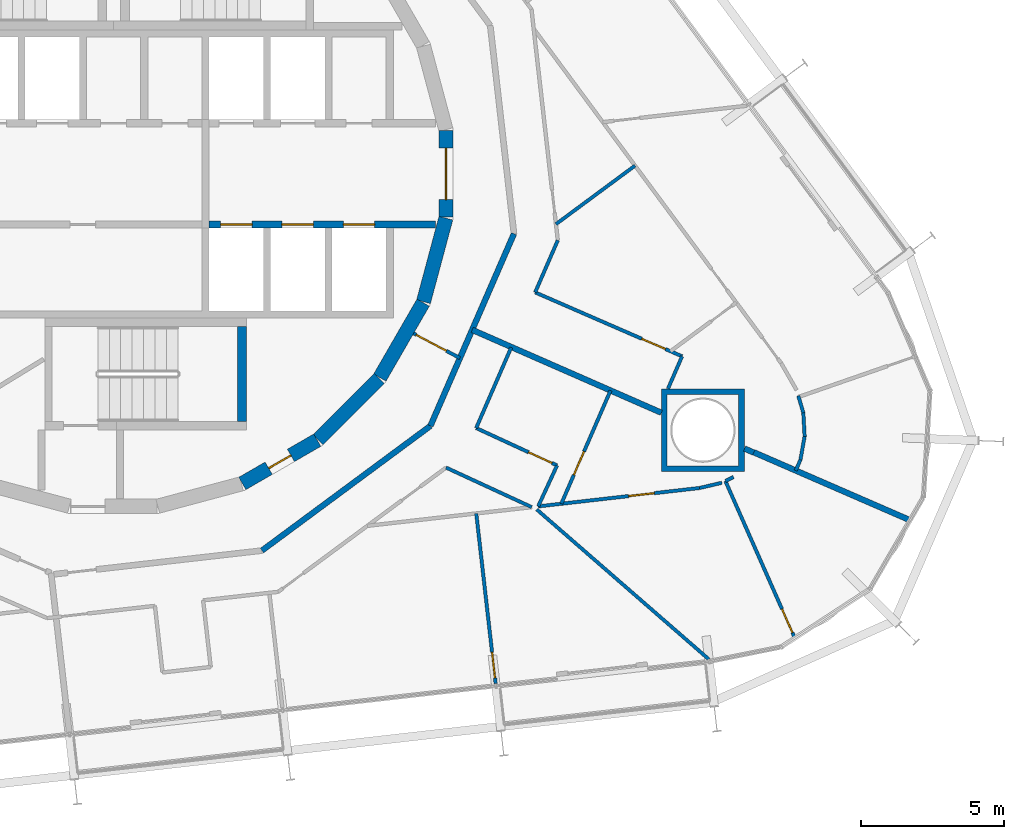
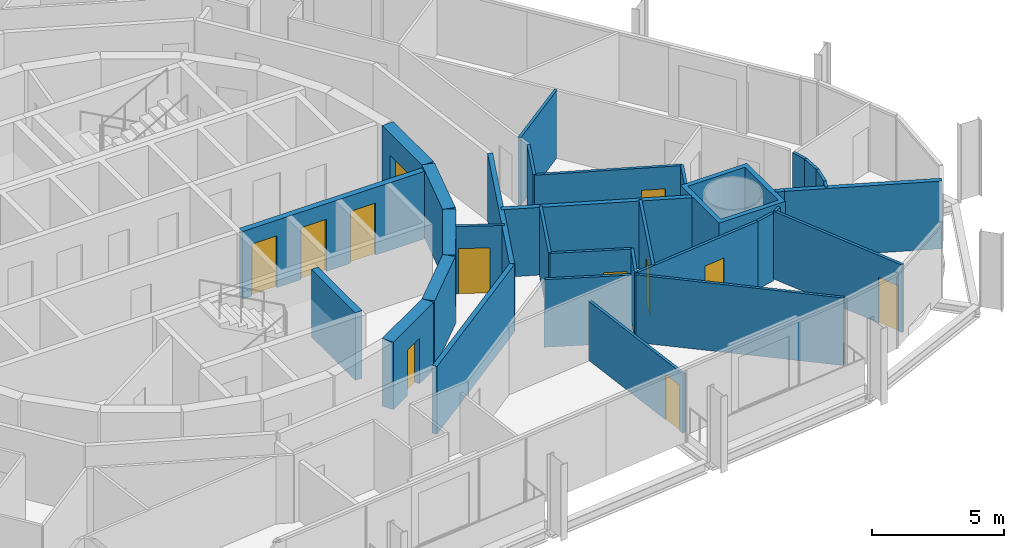
# One storey, part 19 of 24: 33 walls, 12 doors, 12 openings.
"""IFC4 building model written with IfcOpenShell, lengths in metres."""

from ifc_helpers import new_model, si_unit, direction, frame, frame_2d, origin, place, context, subcontext, project, spatial, polyline, rectangle, outline, extrude, material, layer, layer_set, type_object, element, fill, save


model = new_model("IFC4")

# Units and contexts
model_context = context("Model", 3, precision=1e-05, world=origin(), true_north=direction((0.0, 1.0)))
body_context = subcontext(model_context, "Body", "Model", "MODEL_VIEW")
ifc_project = project(units=[si_unit("LENGTHUNIT", "METRE"), si_unit("AREAUNIT", "SQUARE_METRE"), si_unit("VOLUMEUNIT", "CUBIC_METRE"), si_unit("PLANEANGLEUNIT", "RADIAN"), si_unit("MASSUNIT", "GRAM", prefix="KILO")], contexts=[model_context])

# Site, building, storey
site_placement = place(None, origin())
site = spatial("IfcSite", under=ifc_project, at=site_placement, CompositionType="ELEMENT")
building_placement = place(site_placement, origin())
building = spatial("IfcBuilding", under=site, at=building_placement, Name="Spindle Arch Residences", CompositionType="ELEMENT")
storey_placement = place(building_placement, frame((0.0, 0.0, 101.199951171875)))
storey = spatial("IfcBuildingStorey", under=building, at=storey_placement, Name="L24", CompositionType="ELEMENT", Elevation=101.199951171875)

# Wall, opening, door
ifc_material_1 = material(Name="Concrete C50/60", Category="concrete")
ifc_layer_1 = layer(ifc_material_1, 0.5)
ifc_layer_set_1 = layer_set([ifc_layer_1], Name="Core outline wall 500")
wall_type_1 = type_object("IfcWallType", Name="Core outline wall 500", PredefinedType="SHEAR", material=ifc_layer_set_1)
wall_1_placement = place(storey_placement, frame((4.510498046875, -10.84521484375, 0.0), z_axis=(0.0, 0.0, 1.0), x_axis=(0.865975092491, 0.500087131594, 0.0)))
wall_1 = element("IfcWall", 1, at=wall_1_placement, inside=storey, type_object=wall_type_1, Name="Core outline wall 2", PredefinedType="SHEAR", context=body_context, shape_type="SweptSolid", body=[
    extrude(rectangle(XDim=3.03271484375, YDim=0.5, at=frame_2d((1.516357421875, 0.0))), origin(), (0.0, 0.0, 1.0), 3.1201171875),
])
opening_1_placement = place(wall_1_placement, frame((1.06640625, 0.0, 0.0)))
opening_1 = element("IfcOpeningElement", 2, at=opening_1_placement, cuts=wall_1, Name="Opening R2C1-WD08", PredefinedType="OPENING", context=body_context, shape_type="SweptSolid", body=[
    extrude(rectangle(XDim=0.89990234375, YDim=2.10009765625, at=frame_2d((0.449951171875, 1.050048828125))), frame((0.0, 0.260009765625, 0.0), z_axis=(0.0, -1.0, 0.0), x_axis=(1.0, 0.0, 0.0)), (0.0, 0.0, 1.0), 0.52001953125),
])
ifc_material_2 = material(Name="Steel, fire-resisting door", Category="steel")
door_type_1 = type_object("IfcDoorType", Name="Service room door 900x2100", OperationType="SINGLE_SWING_LEFT", PredefinedType="DOOR", material=ifc_material_2)
door_1_placement = place(opening_1_placement, origin())
door_1 = element("IfcDoor", 3, at=door_1_placement, inside=storey, type_object=door_type_1, Name="Service room door R2C1-WD08", OperationType="SINGLE_SWING_LEFT", OverallHeight=2.10009765625, OverallWidth=0.89990234375, PredefinedType="DOOR", context=body_context, shape_type="SweptSolid", body=[
    extrude(rectangle(XDim=0.89990234375, YDim=2.10009765625, at=frame_2d((0.449951171875, 1.050048828125))), frame((0.0, 0.02490234375, 0.0), z_axis=(0.0, -1.0, 0.0), x_axis=(1.0, 0.0, 0.0)), (0.0, 0.0, 1.0), 0.050048828125),
])
fill(opening_1, door_1)

# Walls
wall_2_placement = place(storey_placement, frame((7.163818359375, -9.30810546875, 0.0), z_axis=(0.0, 0.0, 1.0), x_axis=(0.707106781187, 0.707106781187, 0.0)))
element("IfcWall", 4, at=wall_2_placement, inside=storey, type_object=wall_type_1, Name="Core outline wall 3", PredefinedType="SHEAR", context=body_context, shape_type="SweptSolid", body=[
    extrude(rectangle(XDim=3.032470703125, YDim=0.5, at=frame_2d((1.51611328125, 0.0))), origin(), (0.0, 0.0, 1.0), 3.1201171875),
])
for number, where, z_axis, x_axis, name in (
    (5, (9.32861328125, -7.13671875, 0.0), (0.0, 0.0, 1.0), (0.500087131594, 0.865975092491, 0.0), "Core outline wall 4"),
    (6, (10.858154296875, -4.479248046875, 0.0), (0.0, 0.0, 1.0), (0.258734743916, 0.965948410781, 0.0), "Core outline wall 5"),
):
    element("IfcWall", number, at=place(storey_placement, frame(where, z_axis=z_axis, x_axis=x_axis)), inside=storey, type_object=wall_type_1, Name=name, PredefinedType="SHEAR", context=body_context, shape_type="SweptSolid", body=[
        extrude(rectangle(XDim=3.03271484375, YDim=0.5, at=frame_2d((1.516357421875, 0.0))), origin(), (0.0, 0.0, 1.0), 3.1201171875),
    ])

# Wall, opening, door
wall_3_placement = place(storey_placement, frame((11.647216796875, -1.516357421875, 0.0), z_axis=(0.0, 0.0, 1.0), x_axis=(0.0, 1.0, 0.0)))
wall_3 = element("IfcWall", 7, at=wall_3_placement, inside=storey, type_object=wall_type_1, Name="Core outline wall 6", PredefinedType="SHEAR", context=body_context, shape_type="SweptSolid", body=[
    extrude(rectangle(XDim=3.03271484375, YDim=0.5, at=frame_2d((1.516357421875, 0.0))), origin(), (0.0, 0.0, 1.0), 3.1201171875),
])
opening_2_placement = place(wall_3_placement, frame((0.6162109375, 0.0, 0.0)))
opening_2 = element("IfcOpeningElement", 8, at=opening_2_placement, cuts=wall_3, Name="Opening R2C1-FE01", PredefinedType="OPENING", context=body_context, shape_type="SweptSolid", body=[
    extrude(rectangle(XDim=1.800048828125, YDim=2.10009765625, at=frame_2d((0.89990234375, 1.050048828125))), frame((0.0, 0.260009765625, 0.0), z_axis=(0.0, -1.0, 0.0), x_axis=(1.0, 0.0, 0.0)), (0.0, 0.0, 1.0), 0.52001953125),
])
ifc_material_3 = material(Name="Steel, fire-resisting door", Category="steel")
door_type_2 = type_object("IfcDoorType", Name="Fire-lift lobby door 1800x2100", OperationType="DOUBLE_DOOR_SINGLE_SWING", PredefinedType="DOOR", material=ifc_material_3)
door_2_placement = place(opening_2_placement, origin())
door_2 = element("IfcDoor", 9, at=door_2_placement, inside=storey, type_object=door_type_2, Name="Fire-lift lobby door R2C1-FE01", OperationType="DOUBLE_DOOR_SINGLE_SWING", OverallHeight=2.10009765625, OverallWidth=1.800048828125, PredefinedType="DOOR", context=body_context, shape_type="SweptSolid", body=[
    extrude(rectangle(XDim=1.800048828125, YDim=2.10009765625, at=frame_2d((0.89990234375, 1.050048828125))), frame((0.0, 0.02490234375, 0.0), z_axis=(0.0, -1.0, 0.0), x_axis=(1.0, 0.0, 0.0)), (0.0, 0.0, 1.0), 0.050048828125),
])
fill(opening_2, door_2)

ifc_material_4 = material(Name="Plasterboard on steel studs", Category="steel")
ifc_layer_2 = layer(ifc_material_4, 0.1201171875)
ifc_layer_set_2 = layer_set([ifc_layer_2], Name="Corridor division wall 120")
wall_type_2 = type_object("IfcWallType", Name="Corridor division wall 120", PredefinedType="PARTITIONING", material=ifc_layer_set_2)
wall_4_placement = place(storey_placement, frame((10.510986328125, -5.5888671875, 0.0), z_axis=(0.0, 0.0, 1.0), x_axis=(0.882962602189, -0.469443333253, 0.0)))
wall_4 = element("IfcWall", 10, at=wall_4_placement, inside=storey, type_object=wall_type_2, Name="Corridor division wall R2C1-W002", PredefinedType="PARTITIONING", context=body_context, shape_type="SweptSolid", body=[
    extrude(rectangle(XDim=1.837890625, YDim=0.1201171875, at=frame_2d((0.9189453125, 0.0))), origin(), (0.0, 0.0, 1.0), 3.1201171875),
])
opening_3_placement = place(wall_4_placement, frame((0.10009765625, 0.0, 0.0)))
opening_3 = element("IfcOpeningElement", 11, at=opening_3_placement, cuts=wall_4, Name="Opening R2C1-CD02", PredefinedType="OPENING", context=body_context, shape_type="SweptSolid", body=[
    extrude(rectangle(XDim=1.199951171875, YDim=2.10009765625, at=frame_2d((0.60009765625, 1.050048828125))), frame((0.0, 0.070068359375, 0.0), z_axis=(0.0, -1.0, 0.0), x_axis=(1.0, 0.0, 0.0)), (0.0, 0.0, 1.0), 0.14013671875),
])
ifc_material_5 = material(Name="Steel, fire-resisting door", Category="steel")
door_type_3 = type_object("IfcDoorType", Name="Corridor division door 1200x2100", OperationType="NOTDEFINED", PredefinedType="DOOR", material=ifc_material_5)
door_3_placement = place(opening_3_placement, origin())
door_3 = element("IfcDoor", 12, at=door_3_placement, inside=storey, type_object=door_type_3, Name="Corridor division door R2C1-CD02", OperationType="DOUBLE_DOOR_SINGLE_SWING", OverallHeight=2.10009765625, OverallWidth=1.199951171875, PredefinedType="DOOR", context=body_context, shape_type="SweptSolid", body=[
    extrude(rectangle(XDim=1.199951171875, YDim=2.10009765625, at=frame_2d((0.60009765625, 1.050048828125))), frame((0.0, 0.02490234375, 0.0), z_axis=(0.0, -1.0, 0.0), x_axis=(1.0, 0.0, 0.0)), (0.0, 0.0, 1.0), 0.050048828125),
])
fill(opening_3, door_3)

# Walls
ifc_material_6 = material(Name="Calcium silicate block, plastered")
ifc_layer_3 = layer(ifc_material_6, 0.199951171875)
ifc_layer_set_3 = layer_set([ifc_layer_3], Name="Corridor wall 200")
wall_type_3 = type_object("IfcWallType", Name="Corridor wall 200", PredefinedType="STANDARD", material=ifc_layer_set_3)
for number, where, z_axis, x_axis, name in (
    (13, (11.10009765625, -8.829345703125, 0.0), (0.0, 0.0, 1.0), (0.398741918631, 0.917063183388, 0.0), "Corridor wall R2C1-W004"),
    (14, (5.1982421875, -13.1962890625, 0.0), (0.0, 0.0, 1.0), (0.803869883159, 0.594805187394, 0.0), "Corridor wall R2C1-W015"),
):
    element("IfcWall", number, at=place(storey_placement, frame(where, z_axis=z_axis, x_axis=x_axis)), inside=storey, type_object=wall_type_3, Name=name, PredefinedType="STANDARD", context=body_context, shape_type="SweptSolid", body=[
        extrude(rectangle(XDim=7.341796875, YDim=0.199951171875, at=frame_2d((3.6708984375, 0.0))), origin(), (0.0, 0.0, 1.0), 3.1201171875),
    ])

# Wall, openings, doors
ifc_material_7 = material(Name="Concrete C50/60", Category="concrete")
ifc_layer_4 = layer(ifc_material_7, 0.25)
ifc_layer_set_4 = layer_set([ifc_layer_4], Name="Fire-lift shaft wall 250")
wall_type_4 = type_object("IfcWallType", Name="Fire-lift shaft wall 250", PredefinedType="SHEAR", material=ifc_layer_set_4)
wall_5_placement = place(storey_placement, frame((3.35009765625, -1.77490234375, 0.0), z_axis=(0.0, 0.0, 1.0), x_axis=(1.0, 0.0, 0.0)))
wall_5 = element("IfcWall", 15, at=wall_5_placement, inside=storey, type_object=wall_type_4, Name="Lift shaft front wall SE", PredefinedType="SHEAR", context=body_context, shape_type="SweptSolid", body=[
    extrude(rectangle(XDim=7.929931640625, YDim=0.25, at=frame_2d((3.96484375, 0.0))), origin(), (0.0, 0.0, 1.0), 3.1201171875),
])
opening_4_placement = place(wall_5_placement, frame((0.39990234375, 0.0, 0.0)))
opening_4 = element("IfcOpeningElement", 16, at=opening_4_placement, cuts=wall_5, Name="Opening R2C1-FLD01", PredefinedType="OPENING", context=body_context, shape_type="SweptSolid", body=[
    extrude(rectangle(XDim=1.10009765625, YDim=2.39990234375, at=frame_2d((0.550048828125, 1.199951171875))), frame((0.0, 0.135009765625, 0.0), z_axis=(0.0, -1.0, 0.0), x_axis=(1.0, 0.0, 0.0)), (0.0, 0.0, 1.0), 0.27001953125),
])
opening_5_placement = place(wall_5_placement, frame((2.550048828125, 0.0, 0.0)))
opening_5 = element("IfcOpeningElement", 17, at=opening_5_placement, cuts=wall_5, Name="Opening R2C1-FLD02", PredefinedType="OPENING", context=body_context, shape_type="SweptSolid", body=[
    extrude(rectangle(XDim=1.10009765625, YDim=2.39990234375, at=frame_2d((0.550048828125, 1.199951171875))), frame((0.0, 0.135009765625, 0.0), z_axis=(0.0, -1.0, 0.0), x_axis=(1.0, 0.0, 0.0)), (0.0, 0.0, 1.0), 0.27001953125),
])
opening_6_placement = place(wall_5_placement, frame((4.699951171875, 0.0, 0.0)))
opening_6 = element("IfcOpeningElement", 18, at=opening_6_placement, cuts=wall_5, Name="Opening R2C1-FLD03", PredefinedType="OPENING", context=body_context, shape_type="SweptSolid", body=[
    extrude(rectangle(XDim=1.10009765625, YDim=2.39990234375, at=frame_2d((0.550048828125, 1.199951171875))), frame((0.0, 0.135009765625, 0.0), z_axis=(0.0, -1.0, 0.0), x_axis=(1.0, 0.0, 0.0)), (0.0, 0.0, 1.0), 0.27001953125),
])
ifc_material_8 = material(Name="Steel, fire-resisting landing door", Category="steel")
door_type_4 = type_object("IfcDoorType", Name="Fire-fighting lift landing door 1100x2400", OperationType="DOUBLE_DOOR_SLIDING", PredefinedType="DOOR", material=ifc_material_8)
door_4_placement = place(opening_4_placement, origin())
door_4 = element("IfcDoor", 19, at=door_4_placement, inside=storey, type_object=door_type_4, Name="Fire-fighting lift landing door R2C1-FLD01", OperationType="DOUBLE_DOOR_SLIDING", OverallHeight=2.39990234375, OverallWidth=1.10009765625, PredefinedType="DOOR", context=body_context, shape_type="SweptSolid", body=[
    extrude(rectangle(XDim=1.10009765625, YDim=2.39990234375, at=frame_2d((0.550048828125, 1.199951171875))), frame((0.0, 0.02490234375, 0.0), z_axis=(0.0, -1.0, 0.0), x_axis=(1.0, 0.0, 0.0)), (0.0, 0.0, 1.0), 0.050048828125),
])
fill(opening_4, door_4)
door_5_placement = place(opening_5_placement, origin())
door_5 = element("IfcDoor", 20, at=door_5_placement, inside=storey, type_object=door_type_4, Name="Fire-fighting lift landing door R2C1-FLD02", OperationType="DOUBLE_DOOR_SLIDING", OverallHeight=2.39990234375, OverallWidth=1.10009765625, PredefinedType="DOOR", context=body_context, shape_type="SweptSolid", body=[
    extrude(rectangle(XDim=1.10009765625, YDim=2.39990234375, at=frame_2d((0.550048828125, 1.199951171875))), frame((0.0, 0.02490234375, 0.0), z_axis=(0.0, -1.0, 0.0), x_axis=(1.0, 0.0, 0.0)), (0.0, 0.0, 1.0), 0.050048828125),
])
fill(opening_5, door_5)
door_6_placement = place(opening_6_placement, origin())
door_6 = element("IfcDoor", 21, at=door_6_placement, inside=storey, type_object=door_type_4, Name="Fire-fighting lift landing door R2C1-FLD03", OperationType="DOUBLE_DOOR_SLIDING", OverallHeight=2.39990234375, OverallWidth=1.10009765625, PredefinedType="DOOR", context=body_context, shape_type="SweptSolid", body=[
    extrude(rectangle(XDim=1.10009765625, YDim=2.39990234375, at=frame_2d((0.550048828125, 1.199951171875))), frame((0.0, 0.02490234375, 0.0), z_axis=(0.0, -1.0, 0.0), x_axis=(1.0, 0.0, 0.0)), (0.0, 0.0, 1.0), 0.050048828125),
])
fill(opening_6, door_6)

# Wall
ifc_material_9 = material(Name="Plasterboard on steel studs", Category="steel")
ifc_layer_5 = layer(ifc_material_9, 0.1201171875)
ifc_layer_set_5 = layer_set([ifc_layer_5], Name="Flat partition 120")
wall_type_5 = type_object("IfcWallType", Name="Flat partition 120", PredefinedType="PARTITIONING", material=ifc_layer_set_5)
wall_6_placement = place(storey_placement, frame((19.4228515625, -7.52783203125, 0.0), z_axis=(0.0, 0.0, 1.0), x_axis=(0.398733304334, 0.917066928863, 0.0)))
element("IfcWall", 22, at=wall_6_placement, inside=storey, type_object=wall_type_5, Name="Flat partition R2C1-W035", PredefinedType="PARTITIONING", context=body_context, shape_type="SweptSolid", body=[
    extrude(rectangle(XDim=1.2412109375, YDim=0.1201171875, at=frame_2d((0.62060546875, 0.0))), origin(), (0.0, 0.0, 1.0), 3.1201171875),
])

# Wall, opening, door
wall_7_placement = place(storey_placement, frame((19.917724609375, -6.3896484375, 0.0), z_axis=(0.0, 0.0, 1.0), x_axis=(-0.917051386612, 0.39876904884, 0.0)))
wall_7 = element("IfcWall", 23, at=wall_7_placement, inside=storey, type_object=wall_type_5, Name="Flat partition R2C1-W036", PredefinedType="PARTITIONING", context=body_context, shape_type="SweptSolid", body=[
    extrude(rectangle(XDim=5.613525390625, YDim=0.1201171875, at=frame_2d((2.806640625, 0.0))), origin(), (0.0, 0.0, 1.0), 3.1201171875),
])
opening_7_placement = place(wall_7_placement, frame((0.641357421875, 0.0, 0.0)))
opening_7 = element("IfcOpeningElement", 24, at=opening_7_placement, cuts=wall_7, Name="Opening R2C1-ID02", PredefinedType="OPENING", context=body_context, shape_type="SweptSolid", body=[
    extrude(rectangle(XDim=0.89990234375, YDim=2.10009765625, at=frame_2d((0.449951171875, 1.050048828125))), frame((0.0, 0.070068359375, 0.0), z_axis=(0.0, -1.0, 0.0), x_axis=(1.0, 0.0, 0.0)), (0.0, 0.0, 1.0), 0.14013671875),
])
ifc_material_10 = material(Name="Timber door set", Category="wood")
door_type_5 = type_object("IfcDoorType", Name="Room door 900x2100", OperationType="NOTDEFINED", PredefinedType="DOOR", material=ifc_material_10)
door_7_placement = place(opening_7_placement, origin())
door_7 = element("IfcDoor", 25, at=door_7_placement, inside=storey, type_object=door_type_5, Name="Room door R2C1-ID02", OperationType="SINGLE_SWING_LEFT", OverallHeight=2.10009765625, OverallWidth=0.89990234375, PredefinedType="DOOR", context=body_context, shape_type="SweptSolid", body=[
    extrude(rectangle(XDim=0.89990234375, YDim=2.10009765625, at=frame_2d((0.449951171875, 1.050048828125))), frame((0.0, 0.02490234375, 0.0), z_axis=(0.0, -1.0, 0.0), x_axis=(1.0, 0.0, 0.0)), (0.0, 0.0, 1.0), 0.050048828125),
])
fill(opening_7, door_7)

# Walls
wall_8_placement = place(storey_placement, frame((14.769775390625, -4.151123046875, 0.0), z_axis=(0.0, 0.0, 1.0), x_axis=(0.39868125503, 0.917089557725, 0.0)))
element("IfcWall", 26, at=wall_8_placement, inside=storey, type_object=wall_type_5, Name="Flat partition R2C1-W037", PredefinedType="PARTITIONING", context=body_context, shape_type="SweptSolid", body=[
    extrude(rectangle(XDim=1.990234375, YDim=0.1201171875, at=frame_2d((0.9951171875, 0.0))), origin(), (0.0, 0.0, 1.0), 3.1201171875),
])
wall_9_placement = place(storey_placement, frame((15.498779296875, -1.760009765625, 0.0), z_axis=(0.0, 0.0, 1.0), x_axis=(0.803852063114, 0.59482927015, 0.0)))
element("IfcWall", 27, at=wall_9_placement, inside=storey, type_object=wall_type_5, Name="Flat partition R2C1-W039", PredefinedType="PARTITIONING", context=body_context, shape_type="SweptSolid", body=[
    extrude(rectangle(XDim=3.445556640625, YDim=0.1201171875, at=frame_2d((1.72265625, 0.0))), origin(), (0.0, 0.0, 1.0), 3.1201171875),
])
wall_10_placement = place(storey_placement, frame((23.989501953125, -7.77490234375, 0.0), z_axis=(0.0, 0.0, 1.0), x_axis=(0.284088329691, -0.958798112708, 0.0)))
element("IfcWall", 28, at=wall_10_placement, inside=storey, type_object=wall_type_5, Name="Flat partition R2C1-W042", PredefinedType="PARTITIONING", context=body_context, shape_type="SweptSolid", body=[
    extrude(rectangle(XDim=0.61865234375, YDim=0.1201171875, at=frame_2d((0.309326171875, 0.0))), origin(), (0.0, 0.0, 1.0), 3.1201171875),
])
for number, where, z_axis, x_axis, name in (
    (29, (24.165283203125, -8.3681640625, 0.0), (0.0, 0.0, 1.0), (0.055078507089, -0.998482026907, 0.0), "Flat partition R2C1-W043"),
    (30, (24.2109375, -9.19580078125, 0.0), (0.0, 0.0, 1.0), (-0.176422619083, -0.984314512479, 0.0), "Flat partition R2C1-W044"),
):
    element("IfcWall", number, at=place(storey_placement, frame(where, z_axis=z_axis, x_axis=x_axis)), inside=storey, type_object=wall_type_5, Name=name, PredefinedType="PARTITIONING", context=body_context, shape_type="SweptSolid", body=[
        extrude(rectangle(XDim=0.828857421875, YDim=0.1201171875, at=frame_2d((0.41455078125, 0.0))), origin(), (0.0, 0.0, 1.0), 3.1201171875),
    ])
wall_11_placement = place(storey_placement, frame((24.064697265625, -10.01171875, 0.0), z_axis=(0.0, 0.0, 1.0), x_axis=(-0.398747648376, -0.917060692056, 0.0)))
element("IfcWall", 31, at=wall_11_placement, inside=storey, type_object=wall_type_5, Name="Flat partition R2C1-W045", PredefinedType="PARTITIONING", context=body_context, shape_type="SweptSolid", body=[
    extrude(rectangle(XDim=0.41455078125, YDim=0.1201171875, at=frame_2d((0.207275390625, 0.0))), origin(), (0.0, 0.0, 1.0), 3.1201171875),
])
wall_12_placement = place(storey_placement, frame((11.648681640625, -10.289306640625, 0.0), z_axis=(0.0, 0.0, 1.0), x_axis=(0.9079269461, -0.419128453514, 0.0)))
element("IfcWall", 32, at=wall_12_placement, inside=storey, type_object=wall_type_5, Name="Flat partition R2C1-W118", PredefinedType="PARTITIONING", context=body_context, shape_type="SweptSolid", body=[
    extrude(rectangle(XDim=3.304443359375, YDim=0.1201171875, at=frame_2d((1.65234375, 0.0))), origin(), (0.0, 0.0, 1.0), 3.1201171875),
])
wall_13_placement = place(storey_placement, frame((14.87548828125, -11.6484375, 0.0), z_axis=(0.0, 0.0, 1.0), x_axis=(0.419087543301, 0.90794583046, 0.0)))
element("IfcWall", 33, at=wall_13_placement, inside=storey, type_object=wall_type_5, Name="Flat partition R2C1-W119", PredefinedType="PARTITIONING", context=body_context, shape_type="SweptSolid", body=[
    extrude(rectangle(XDim=1.58154296875, YDim=0.1201171875, at=frame_2d((0.790771484375, 0.0))), origin(), (0.0, 0.0, 1.0), 3.1201171875),
])

# Wall, opening, door
wall_14_placement = place(storey_placement, frame((15.538330078125, -10.21240234375, 0.0), z_axis=(0.0, 0.0, 1.0), x_axis=(-0.907941075756, 0.419097844131, 0.0)))
wall_14 = element("IfcWall", 34, at=wall_14_placement, inside=storey, type_object=wall_type_5, Name="Flat partition R2C1-W120", PredefinedType="PARTITIONING", context=body_context, shape_type="SweptSolid", body=[
    extrude(rectangle(XDim=3.122314453125, YDim=0.1201171875, at=frame_2d((1.56103515625, 0.0))), origin(), (0.0, 0.0, 1.0), 3.1201171875),
])
opening_8_placement = place(wall_14_placement, frame((0.199951171875, 0.0, 0.0)))
opening_8 = element("IfcOpeningElement", 35, at=opening_8_placement, cuts=wall_14, Name="Opening R2C1-ID34", PredefinedType="OPENING", context=body_context, shape_type="SweptSolid", body=[
    extrude(rectangle(XDim=0.89990234375, YDim=2.10009765625, at=frame_2d((0.449951171875, 1.050048828125))), frame((0.0, 0.070068359375, 0.0), z_axis=(0.0, -1.0, 0.0), x_axis=(1.0, 0.0, 0.0)), (0.0, 0.0, 1.0), 0.14013671875),
])
door_8_placement = place(opening_8_placement, origin())
door_8 = element("IfcDoor", 36, at=door_8_placement, inside=storey, type_object=door_type_5, Name="Room door R2C1-ID34", OperationType="SINGLE_SWING_LEFT", OverallHeight=2.10009765625, OverallWidth=0.89990234375, PredefinedType="DOOR", context=body_context, shape_type="SweptSolid", body=[
    extrude(rectangle(XDim=0.89990234375, YDim=2.10009765625, at=frame_2d((0.449951171875, 1.050048828125))), frame((0.0, 0.02490234375, 0.0), z_axis=(0.0, -1.0, 0.0), x_axis=(1.0, 0.0, 0.0)), (0.0, 0.0, 1.0), 0.050048828125),
])
fill(opening_8, door_8)

# Walls
wall_15_placement = place(storey_placement, frame((12.703369140625, -8.90380859375, 0.0), z_axis=(0.0, 0.0, 1.0), x_axis=(0.398679720725, 0.917090224723, 0.0)))
element("IfcWall", 37, at=wall_15_placement, inside=storey, type_object=wall_type_5, Name="Flat partition R2C1-W121", PredefinedType="PARTITIONING", context=body_context, shape_type="SweptSolid", body=[
    extrude(rectangle(XDim=3.0791015625, YDim=0.1201171875, at=frame_2d((1.53955078125, 0.0))), origin(), (0.0, 0.0, 1.0), 3.1201171875),
])
wall_16_placement = place(storey_placement, frame((20.856201171875, -17.005859375, 0.0), z_axis=(0.0, 0.0, 1.0), x_axis=(-0.75423134567, 0.656608770281, 0.0)))
element("IfcWall", 38, at=wall_16_placement, inside=storey, type_object=wall_type_5, Name="Flat partition R2C1-W125", PredefinedType="PARTITIONING", context=body_context, shape_type="SweptSolid", body=[
    extrude(rectangle(XDim=7.995361328125, YDim=0.1201171875, at=frame_2d((3.99755859375, 0.0))), origin(), (0.0, 0.0, 1.0), 3.1201171875),
])

# Wall, opening, door
wall_17_placement = place(storey_placement, frame((20.52685546875, -11.00439453125, 0.0), z_axis=(0.0, 0.0, 1.0), x_axis=(-0.993568869194, -0.113229422712, 0.0)))
wall_17 = element("IfcWall", 39, at=wall_17_placement, inside=storey, type_object=wall_type_5, Name="Flat partition R2C1-W126", PredefinedType="PARTITIONING", context=body_context, shape_type="SweptSolid", body=[
    extrude(rectangle(XDim=5.68798828125, YDim=0.1201171875, at=frame_2d((2.843994140625, 0.0))), origin(), (0.0, 0.0, 1.0), 3.1201171875),
])
opening_9_placement = place(wall_17_placement, frame((1.60009765625, 0.0, 0.0)))
opening_9 = element("IfcOpeningElement", 40, at=opening_9_placement, cuts=wall_17, Name="Opening R2C1-ID37", PredefinedType="OPENING", context=body_context, shape_type="SweptSolid", body=[
    extrude(rectangle(XDim=0.89990234375, YDim=2.10009765625, at=frame_2d((0.449951171875, 1.050048828125))), frame((0.0, 0.070068359375, 0.0), z_axis=(0.0, -1.0, 0.0), x_axis=(1.0, 0.0, 0.0)), (0.0, 0.0, 1.0), 0.14013671875),
])
door_9_placement = place(opening_9_placement, origin())
door_9 = element("IfcDoor", 41, at=door_9_placement, inside=storey, type_object=door_type_5, Name="Room door R2C1-ID37", OperationType="SINGLE_SWING_RIGHT", OverallHeight=2.10009765625, OverallWidth=0.89990234375, PredefinedType="DOOR", context=body_context, shape_type="SweptSolid", body=[
    extrude(rectangle(XDim=0.89990234375, YDim=2.10009765625, at=frame_2d((0.449951171875, 1.050048828125))), frame((0.0, 0.02490234375, 0.0), z_axis=(0.0, -1.0, 0.0), x_axis=(1.0, 0.0, 0.0)), (0.0, 0.0, 1.0), 0.050048828125),
])
fill(opening_9, door_9)

# Wall
wall_18_placement = place(storey_placement, frame((21.3125, -10.82080078125, 0.0), z_axis=(0.0, 0.0, 1.0), x_axis=(-0.973765266404, -0.227554841621, 0.0)))
element("IfcWall", 42, at=wall_18_placement, inside=storey, type_object=wall_type_5, Name="Flat partition R2C1-W127", PredefinedType="PARTITIONING", context=body_context, shape_type="SweptSolid", body=[
    extrude(rectangle(XDim=0.806884765625, YDim=0.1201171875, at=frame_2d((0.4033203125, 0.0))), origin(), (0.0, 0.0, 1.0), 3.1201171875),
])

# Wall, opening, door
wall_19_placement = place(storey_placement, frame((23.863525390625, -16.253173828125, 0.0), z_axis=(0.0, 0.0, 1.0), x_axis=(-0.404274566917, 0.914637673915, 0.0)))
wall_19 = element("IfcWall", 43, at=wall_19_placement, inside=storey, type_object=wall_type_5, Name="Flat partition R2C1-W128", PredefinedType="PARTITIONING", context=body_context, shape_type="SweptSolid", body=[
    extrude(rectangle(XDim=6.00634765625, YDim=0.1201171875, at=frame_2d((3.003173828125, 0.0))), origin(), (0.0, 0.0, 1.0), 3.1201171875),
])
opening_10_placement = place(wall_19_placement, frame((0.199951171875, 0.0, 0.0)))
opening_10 = element("IfcOpeningElement", 44, at=opening_10_placement, cuts=wall_19, Name="Opening R2C1-ID38", PredefinedType="OPENING", context=body_context, shape_type="SweptSolid", body=[
    extrude(rectangle(XDim=0.89990234375, YDim=2.10009765625, at=frame_2d((0.449951171875, 1.050048828125))), frame((0.0, 0.070068359375, 0.0), z_axis=(0.0, -1.0, 0.0), x_axis=(1.0, 0.0, 0.0)), (0.0, 0.0, 1.0), 0.14013671875),
])
door_10_placement = place(opening_10_placement, origin())
door_10 = element("IfcDoor", 45, at=door_10_placement, inside=storey, type_object=door_type_5, Name="Room door R2C1-ID38", OperationType="SINGLE_SWING_RIGHT", OverallHeight=2.10009765625, OverallWidth=0.89990234375, PredefinedType="DOOR", context=body_context, shape_type="SweptSolid", body=[
    extrude(rectangle(XDim=0.89990234375, YDim=2.10009765625, at=frame_2d((0.449951171875, 1.050048828125))), frame((0.0, 0.02490234375, 0.0), z_axis=(0.0, -1.0, 0.0), x_axis=(1.0, 0.0, 0.0)), (0.0, 0.0, 1.0), 0.050048828125),
])
fill(opening_10, door_10)

wall_20_placement = place(storey_placement, frame((15.685546875, -11.55615234375, 0.0), z_axis=(0.0, 0.0, 1.0), x_axis=(0.398740569839, 0.917063769846, 0.0)))
wall_20 = element("IfcWall", 46, at=wall_20_placement, inside=storey, type_object=wall_type_5, Name="Flat partition R2C1-W129", PredefinedType="PARTITIONING", context=body_context, shape_type="SweptSolid", body=[
    extrude(rectangle(XDim=4.322021484375, YDim=0.1201171875, at=frame_2d((2.1611328125, 0.0))), origin(), (0.0, 0.0, 1.0), 3.1201171875),
])
opening_11_placement = place(wall_20_placement, frame((1.10009765625, 0.0, 0.0)))
opening_11 = element("IfcOpeningElement", 47, at=opening_11_placement, cuts=wall_20, Name="Opening R2C1-ID35", PredefinedType="OPENING", context=body_context, shape_type="SweptSolid", body=[
    extrude(rectangle(XDim=0.89990234375, YDim=2.10009765625, at=frame_2d((0.449951171875, 1.050048828125))), frame((0.0, 0.070068359375, 0.0), z_axis=(0.0, -1.0, 0.0), x_axis=(1.0, 0.0, 0.0)), (0.0, 0.0, 1.0), 0.14013671875),
])
door_11_placement = place(opening_11_placement, origin())
door_11 = element("IfcDoor", 48, at=door_11_placement, inside=storey, type_object=door_type_5, Name="Room door R2C1-ID35", OperationType="SINGLE_SWING_RIGHT", OverallHeight=2.10009765625, OverallWidth=0.89990234375, PredefinedType="DOOR", context=body_context, shape_type="SweptSolid", body=[
    extrude(rectangle(XDim=0.89990234375, YDim=2.10009765625, at=frame_2d((0.449951171875, 1.050048828125))), frame((0.0, 0.02490234375, 0.0), z_axis=(0.0, -1.0, 0.0), x_axis=(1.0, 0.0, 0.0)), (0.0, 0.0, 1.0), 0.050048828125),
])
fill(opening_11, door_11)

# Wall
wall_21_placement = place(storey_placement, frame((21.435302734375, -10.759521484375, 0.0), z_axis=(0.0, 0.0, 1.0), x_axis=(0.895041493646, 0.445982874841, 0.0)))
element("IfcWall", 49, at=wall_21_placement, inside=storey, type_object=wall_type_5, Name="Flat partition R2C1-W130", PredefinedType="PARTITIONING", context=body_context, shape_type="SweptSolid", body=[
    extrude(rectangle(XDim=0.3173828125, YDim=0.1201171875, at=frame_2d((0.15869140625, 0.0))), origin(), (0.0, 0.0, 1.0), 3.1201171875),
])

# Wall, opening, door
ifc_material_11 = material(Name="Plasterboard on steel studs", Category="steel")
ifc_layer_6 = layer(ifc_material_11, 0.1201171875)
ifc_layer_set_6 = layer_set([ifc_layer_6], Name="Flat partition 120 under beam 2730")
wall_type_6 = type_object("IfcWallType", Name="Flat partition 120 under beam 2730", PredefinedType="PARTITIONING", material=ifc_layer_set_6)
wall_22_placement = place(storey_placement, frame((13.3857421875, -17.85693359375, 0.0), z_axis=(0.0, 0.0, 1.0), x_axis=(-0.113200012983, 0.993572220355, 0.0)))
wall_22 = element("IfcWall", 50, at=wall_22_placement, inside=storey, type_object=wall_type_6, Name="Flat partition R2C1-W124", PredefinedType="PARTITIONING", context=body_context, shape_type="SweptSolid", body=[
    extrude(rectangle(XDim=6.0, YDim=0.1201171875, at=frame_2d((3.0, 0.0))), origin(), (0.0, 0.0, 1.0), 2.72998046875),
])
opening_12_placement = place(wall_22_placement, frame((0.199951171875, 0.0, 0.0)))
opening_12 = element("IfcOpeningElement", 51, at=opening_12_placement, cuts=wall_22, Name="Opening R2C1-ID36", PredefinedType="OPENING", context=body_context, shape_type="SweptSolid", body=[
    extrude(rectangle(XDim=0.89990234375, YDim=2.10009765625, at=frame_2d((0.449951171875, 1.050048828125))), frame((0.0, 0.070068359375, 0.0), z_axis=(0.0, -1.0, 0.0), x_axis=(1.0, 0.0, 0.0)), (0.0, 0.0, 1.0), 0.14013671875),
])
door_12_placement = place(opening_12_placement, origin())
door_12 = element("IfcDoor", 52, at=door_12_placement, inside=storey, type_object=door_type_5, Name="Room door R2C1-ID36", OperationType="SINGLE_SWING_RIGHT", OverallHeight=2.10009765625, OverallWidth=0.89990234375, PredefinedType="DOOR", context=body_context, shape_type="SweptSolid", body=[
    extrude(rectangle(XDim=0.89990234375, YDim=2.10009765625, at=frame_2d((0.449951171875, 1.050048828125))), frame((0.0, 0.02490234375, 0.0), z_axis=(0.0, -1.0, 0.0), x_axis=(1.0, 0.0, 0.0)), (0.0, 0.0, 1.0), 0.050048828125),
])
fill(opening_12, door_12)

# Walls
ifc_material_12 = material(Name="Calcium silicate block, plastered")
ifc_layer_7 = layer(ifc_material_12, 0.199951171875)
ifc_layer_set_7 = layer_set([ifc_layer_7], Name="Flat party wall 200")
wall_type_7 = type_object("IfcWallType", Name="Flat party wall 200", PredefinedType="STANDARD", material=ifc_layer_set_7)
wall_23_placement = place(storey_placement, frame((12.563720703125, -5.462890625, 0.0), z_axis=(0.0, 0.0, 1.0), x_axis=(0.915914014963, -0.401374534812, 0.0)))
element("IfcWall", 53, at=wall_23_placement, inside=storey, type_object=wall_type_7, Name="Flat party wall R2C1-W017", PredefinedType="STANDARD", context=body_context, shape_type="SweptSolid", body=[
    extrude(rectangle(XDim=7.23583984375, YDim=0.199951171875, at=frame_2d((3.617919921875, 0.0))), origin(), (0.0, 0.0, 1.0), 3.1201171875),
])
wall_24_placement = place(storey_placement, frame((22.43212890625, -9.75390625, 0.0), z_axis=(0.0, 0.0, 1.0), x_axis=(0.917071996944, -0.398721647797, 0.0)))
element("IfcWall", 54, at=wall_24_placement, inside=storey, type_object=wall_type_7, Name="Flat party wall R2C1-W018", PredefinedType="STANDARD", context=body_context, shape_type="SweptSolid", body=[
    extrude(rectangle(XDim=6.0, YDim=0.199951171875, at=frame_2d((3.0, 0.0))), origin(), (0.0, 0.0, 1.0), 3.1201171875),
])
wall_25_placement = place(storey_placement, frame((22.107666015625, -9.62353515625, 0.0), z_axis=(0.0, 0.0, 1.0), x_axis=(0.917036741673, -0.398802726196, 0.0)))
element("IfcWall", 55, at=wall_25_placement, inside=storey, type_object=wall_type_7, Name="Flat party wall R2C1-W019", PredefinedType="STANDARD", context=body_context, shape_type="SweptSolid", body=[
    extrude(rectangle(XDim=0.349609375, YDim=0.199951171875, at=frame_2d((0.1748046875, 0.0))), origin(), (0.0, 0.0, 1.0), 3.1201171875),
])
ifc_material_13 = material(Name="Calcium silicate block, plastered")
ifc_layer_8 = layer(ifc_material_13, 0.199951171875)
ifc_layer_set_8 = layer_set([ifc_layer_8], Name="Mega-column casing wall 200")
wall_type_8 = type_object("IfcWallType", Name="Mega-column casing wall 200", PredefinedType="STANDARD", material=ifc_layer_set_8)
wall_26_placement = place(storey_placement, origin())
element("IfcWall", 56, at=wall_26_placement, inside=storey, type_object=wall_type_8, Name="Mega-column casing wall R2C1-WC03", PredefinedType="STANDARD", context=body_context, shape_type="SweptSolid", body=[
    extrude(outline(polyline([(22.09765625, -7.52783203125), (22.09765625, -10.427734375), (19.197509765625, -10.427734375), (19.197509765625, -7.52783203125), (22.09765625, -7.52783203125)]), holes=[polyline([(19.397705078125, -10.227783203125), (21.897705078125, -10.227783203125), (21.897705078125, -7.727783203125), (19.397705078125, -7.727783203125), (19.397705078125, -10.227783203125)])]), origin(), (0.0, 0.0, 1.0), 3.1201171875),
])
ifc_material_14 = material(Name="Concrete C50/60", Category="concrete")
ifc_layer_9 = layer(ifc_material_14, 0.300048828125)
ifc_layer_set_9 = layer_set([ifc_layer_9], Name="Stair enclosure wall 300")
wall_type_9 = type_object("IfcWallType", Name="Stair enclosure wall 300", PredefinedType="SHEAR", material=ifc_layer_set_9)
wall_27_placement = place(storey_placement, frame((4.5, -8.669921875, 0.0), z_axis=(0.0, 0.0, 1.0), x_axis=(0.0, 1.0, 0.0)))
element("IfcWall", 57, at=wall_27_placement, inside=storey, type_object=wall_type_9, Name="Stair ST-3 enclosure wall E", PredefinedType="SHEAR", context=body_context, shape_type="SweptSolid", body=[
    extrude(rectangle(XDim=3.31982421875, YDim=0.300048828125, at=frame_2d((1.659912109375, 0.0))), origin(), (0.0, 0.0, 1.0), 3.1201171875),
])

save(model, "model.ifc")
